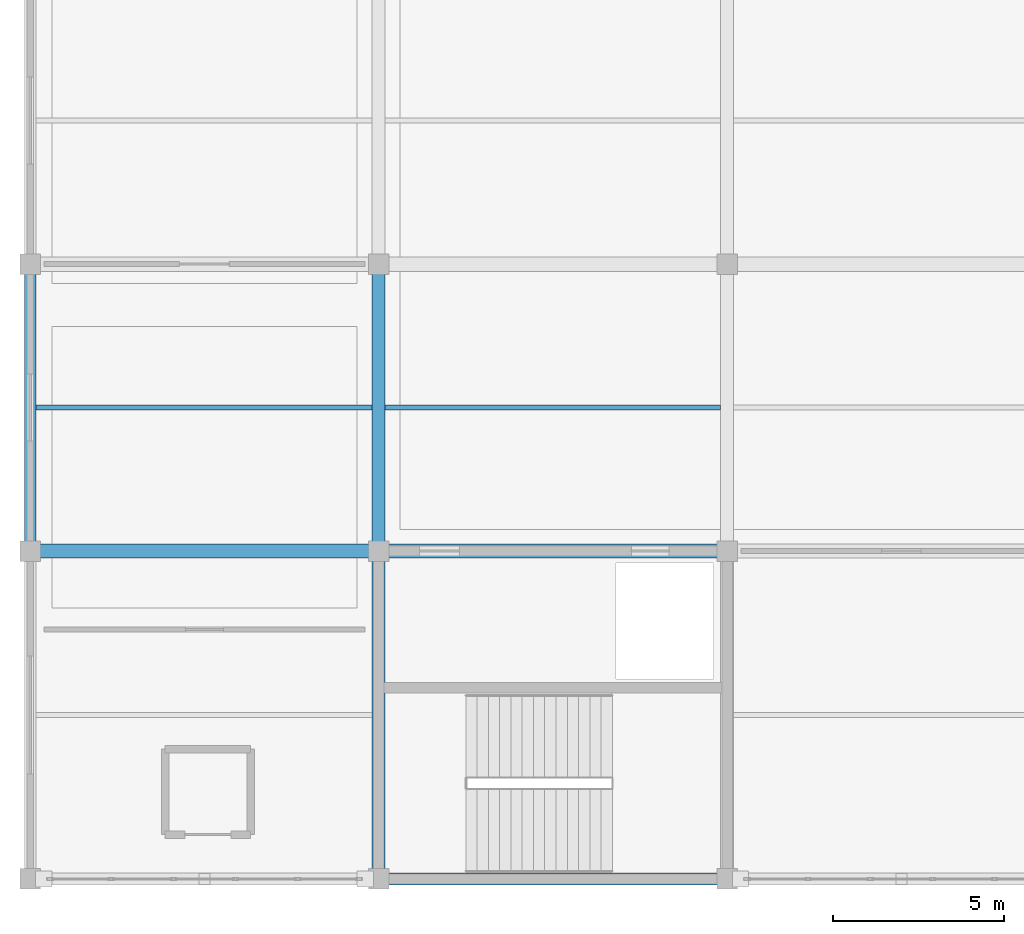
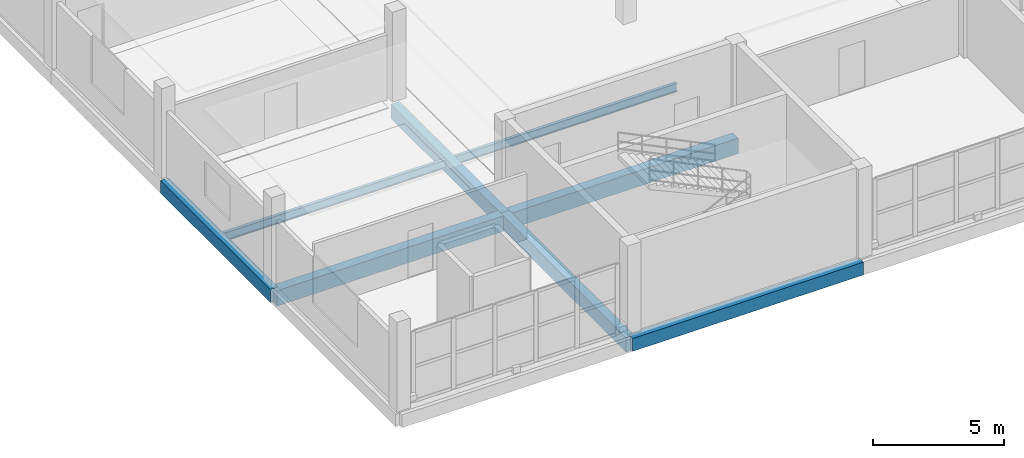
# One storey, part 3 of 24: 8 beams.
"""IFC4 building model written with IfcOpenShell, lengths in metres."""

from ifc_helpers import new_model, si_unit, direction, frame, origin, origin_2d, place, context, subcontext, project, spatial, rectangle, i_section, extrude, material, material_profile, profile_set, type_object, element, save


model = new_model("IFC4")

# Units and contexts
model_context = context("Model", 3, precision=1e-05, world=origin(), true_north=direction((0.0, 1.0)))
body_context = subcontext(model_context, "Body", "Model", "MODEL_VIEW")
ifc_project = project(units=[si_unit("LENGTHUNIT", "METRE"), si_unit("AREAUNIT", "SQUARE_METRE"), si_unit("VOLUMEUNIT", "CUBIC_METRE"), si_unit("PLANEANGLEUNIT", "RADIAN"), si_unit("MASSUNIT", "GRAM", prefix="KILO")], contexts=[model_context])

# Site, building, storey
site_placement = place(None, origin())
site = spatial("IfcSite", under=ifc_project, at=site_placement, CompositionType="ELEMENT")
building_placement = place(site_placement, origin())
building = spatial("IfcBuilding", under=site, at=building_placement, Name="Brelvane Convention Centre", CompositionType="ELEMENT")
storey_placement = place(building_placement, frame((0.0, 0.0, 19.199951171875)))
storey = spatial("IfcBuildingStorey", under=building, at=storey_placement, Name="L04", CompositionType="ELEMENT", Elevation=19.199951171875)

# Beams
ifc_material_1 = material(Name="Concrete M40", Category="concrete")
ifc_material_profile_1 = material_profile(ifc_material_1, rectangle(XDim=0.419921875, YDim=0.719970703125, at=origin_2d()), Name="RC 420x720")
ifc_profile_set_1 = profile_set([ifc_material_profile_1], Name="Concrete M40")
beam_type_1 = type_object("IfcBeamType", Name="RC Beam B-RC13 (RC 420x720)", PredefinedType="BEAM", material=ifc_profile_set_1)
for number, where, z_axis, x_axis, name in (
    (1, (0.0, 118.800048828125, -0.6650390625), (1.0, 0.0, 0.0), (0.0, 1.0, 0.0), "L04 Beam 1-2/M"),
    (2, (10.199951171875, 118.800048828125, -0.6650390625), (1.0, 0.0, 0.0), (0.0, 1.0, 0.0), "L04 Beam 2-3/M"),
):
    element("IfcBeam", number, at=place(storey_placement, frame(where, z_axis=z_axis, x_axis=x_axis)), inside=storey, type_object=beam_type_1, Name=name, PredefinedType="BEAM", context=body_context, shape_type="SweptSolid", body=[
        extrude(rectangle(XDim=0.419921875, YDim=0.719970703125, at=origin_2d()), origin(), (0.0, 0.0, 1.0), 10.199951171875),
    ])
ifc_material_2 = material(Name="Concrete M40", Category="concrete")
ifc_material_profile_2 = material_profile(ifc_material_2, rectangle(XDim=0.3798828125, YDim=0.679931640625, at=origin_2d()), Name="RC 380x680")
ifc_profile_set_2 = profile_set([ifc_material_profile_2], Name="Concrete M40")
beam_type_2 = type_object("IfcBeamType", Name="RC Beam B-RC14 (RC 380x680)", PredefinedType="BEAM", material=ifc_profile_set_2)
beam_1_placement = place(storey_placement, frame((10.199951171875, 109.199951171875, -0.64501953125), z_axis=(0.0, 1.0, 0.0), x_axis=(-1.0, 0.0, 0.0)))
element("IfcBeam", 3, at=beam_1_placement, inside=storey, type_object=beam_type_2, Name="L04 Girder 2/L-M", PredefinedType="BEAM", context=body_context, shape_type="SweptSolid", body=[
    extrude(rectangle(XDim=0.3798828125, YDim=0.679931640625, at=origin_2d()), origin(), (0.0, 0.0, 1.0), 9.60009765625),
])
beam_2_placement = place(storey_placement, frame((10.199951171875, 118.800048828125, -0.64501953125), z_axis=(0.0, 1.0, 0.0), x_axis=(-1.0, 0.0, 0.0)))
element("IfcBeam", 4, at=beam_2_placement, inside=storey, type_object=beam_type_2, Name="L04 Girder 2/M-N", PredefinedType="BEAM", context=body_context, shape_type="SweptSolid", body=[
    extrude(rectangle(XDim=0.3798828125, YDim=0.679931640625, at=origin_2d()), origin(), (0.0, 0.0, 1.0), 8.39990234375),
])
ifc_material_3 = material(Name="Concrete M40", Category="concrete")
ifc_material_profile_3 = material_profile(ifc_material_3, rectangle(XDim=0.35009765625, YDim=0.60009765625, at=origin_2d()), Name="RC 350x600")
ifc_profile_set_3 = profile_set([ifc_material_profile_3], Name="Concrete M40")
beam_type_3 = type_object("IfcBeamType", Name="RC Spandrel SP-RC2 (RC 350x600)", PredefinedType="SPANDREL", material=ifc_profile_set_3)
beam_3_placement = place(storey_placement, frame((10.199951171875, 109.199951171875, -0.60498046875), z_axis=(1.0, 0.0, 0.0), x_axis=(0.0, 1.0, 0.0)))
element("IfcBeam", 5, at=beam_3_placement, inside=storey, type_object=beam_type_3, Name="L04 Beam 2-3/L", PredefinedType="SPANDREL", context=body_context, shape_type="SweptSolid", body=[
    extrude(rectangle(XDim=0.35009765625, YDim=0.60009765625, at=origin_2d()), origin(), (0.0, 0.0, 1.0), 10.199951171875),
])
beam_4_placement = place(storey_placement, frame((0.0, 118.800048828125, -0.60498046875), z_axis=(0.0, 1.0, 0.0), x_axis=(-1.0, 0.0, 0.0)))
element("IfcBeam", 6, at=beam_4_placement, inside=storey, type_object=beam_type_3, Name="L04 Girder 1/M-N", PredefinedType="SPANDREL", context=body_context, shape_type="SweptSolid", body=[
    extrude(rectangle(XDim=0.35009765625, YDim=0.60009765625, at=origin_2d()), origin(), (0.0, 0.0, 1.0), 8.39990234375),
])
ifc_material_4 = material(Name="Steel E350 (350 MPa)", Category="steel")
ifc_material_profile_4 = material_profile(ifc_material_4, i_section(OverallWidth=0.139892578125, OverallDepth=0.39990234375, WebThickness=0.0087890625, FlangeThickness=0.01611328125, FilletRadius=0.013916015625, at=origin_2d()), Name="ISMB 400")
ifc_profile_set_4 = profile_set([ifc_material_profile_4], Name="Steel E350 (350 MPa)")
beam_type_4 = type_object("IfcBeamType", Name="Steel Joist J-ST1 (ISMB 400)", PredefinedType="JOIST", material=ifc_profile_set_4)
beam_5_placement = place(storey_placement, frame((0.175048828125, 123.0, -0.5048828125), z_axis=(1.0, 0.0, 0.0), x_axis=(0.0, 1.0, 0.0)))
element("IfcBeam", 7, at=beam_5_placement, inside=storey, type_object=beam_type_4, Name="L04 Secondary Joist 1-2/MN", PredefinedType="JOIST", context=body_context, shape_type="SweptSolid", body=[
    extrude(i_section(OverallWidth=0.139892578125, OverallDepth=0.39990234375, WebThickness=0.0087890625, FlangeThickness=0.01611328125, FilletRadius=0.013916015625, at=origin_2d()), origin(), (0.0, 0.0, 1.0), 9.8349609375),
])
beam_6_placement = place(storey_placement, frame((10.389892578125, 123.0, -0.5048828125), z_axis=(1.0, 0.0, 0.0), x_axis=(0.0, 1.0, 0.0)))
element("IfcBeam", 8, at=beam_6_placement, inside=storey, type_object=beam_type_4, Name="L04 Secondary Joist 2-3/MN", PredefinedType="JOIST", context=body_context, shape_type="SweptSolid", body=[
    extrude(i_section(OverallWidth=0.139892578125, OverallDepth=0.39990234375, WebThickness=0.0087890625, FlangeThickness=0.01611328125, FilletRadius=0.013916015625, at=origin_2d()), origin(), (0.0, 0.0, 1.0), 9.820068359375),
])

save(model, "model.ifc")
